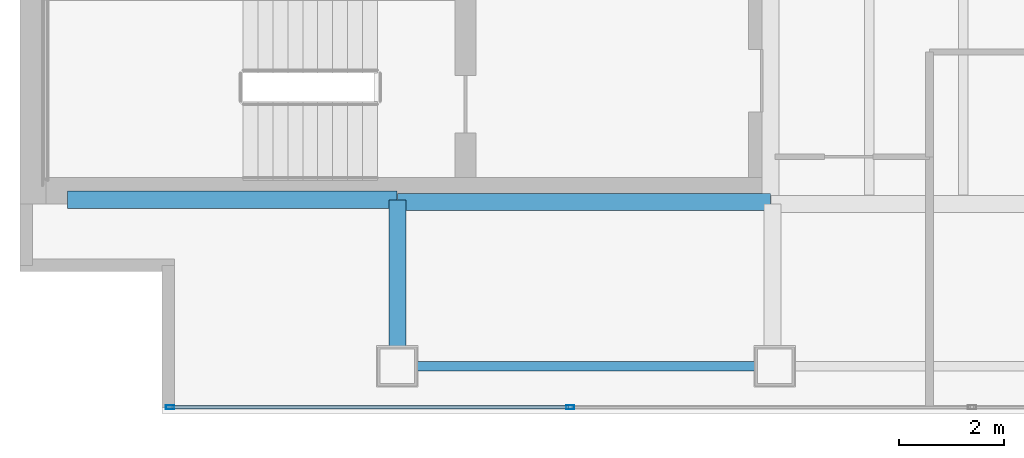
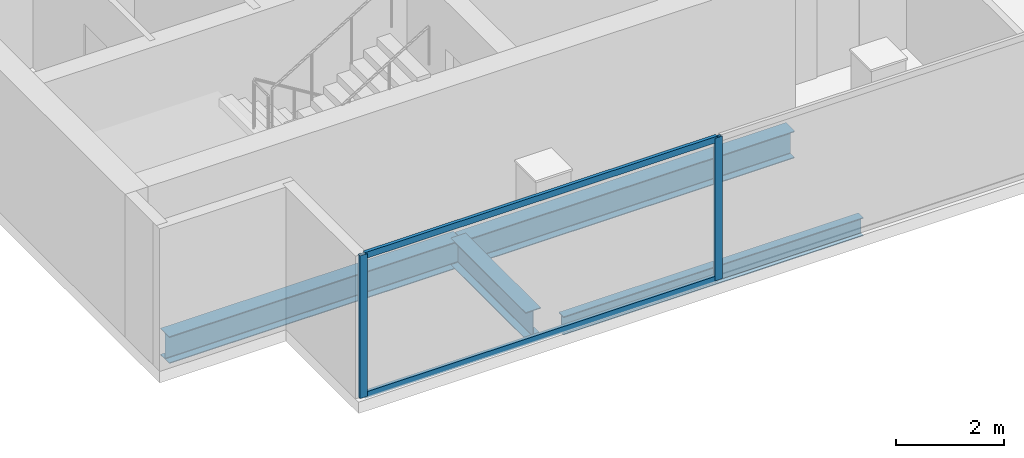
# One storey, part 2 of 23: 4 beams, 4 members, 1 element without a shape of its own.
"""IFC4 building model written with IfcOpenShell, lengths in metres."""

from ifc_helpers import new_model, si_unit, direction, frame, origin, origin_2d, place, context, subcontext, project, spatial, hollow_rectangle, i_section, extrude, material, material_profile, profile_set, type_object, element, aggregate, save


model = new_model("IFC4")

# Units and contexts
model_context = context("Model", 3, precision=1e-05, world=origin(), true_north=direction((0.0, 1.0)))
body_context = subcontext(model_context, "Body", "Model", "MODEL_VIEW")
ifc_project = project(units=[si_unit("LENGTHUNIT", "METRE"), si_unit("AREAUNIT", "SQUARE_METRE"), si_unit("VOLUMEUNIT", "CUBIC_METRE"), si_unit("PLANEANGLEUNIT", "RADIAN"), si_unit("MASSUNIT", "GRAM", prefix="KILO")], contexts=[model_context])

# Site, building, storey
site_placement = place(None, origin())
site = spatial("IfcSite", under=ifc_project, at=site_placement, CompositionType="ELEMENT")
building_placement = place(site_placement, origin())
building = spatial("IfcBuilding", under=site, at=building_placement, Name="Cobrela Telecom Tower", CompositionType="ELEMENT")
storey_placement = place(building_placement, frame((0.0, 0.0, 229.25)))
storey = spatial("IfcBuildingStorey", under=building, at=storey_placement, Name="L59", CompositionType="ELEMENT", Elevation=229.25)

# Beams
ifc_material_1 = material(Name="Steel ASTM A992 Grade 50", Category="steel")
ifc_material_profile_1 = material_profile(ifc_material_1, i_section(OverallWidth=0.324951171875, OverallDepth=0.612060546875, WebThickness=0.0126953125, FlangeThickness=0.01904296875, FilletRadius=0.014892578125, at=origin_2d()), Name="W24X104")
ifc_profile_set_1 = profile_set([ifc_material_profile_1], Name="Steel ASTM A992 Grade 50")
beam_type_1 = type_object("IfcBeamType", Name="BM-GIRD-07", PredefinedType="USERDEFINED", material=ifc_profile_set_1)
beam_1_placement = place(storey_placement, frame((0.905029296875, 7.280029296875, -0.56591796875), z_axis=(1.0, 0.0, 0.0), x_axis=(0.0, 1.0, 0.0)))
element("IfcBeam", 1, at=beam_1_placement, inside=storey, type_object=beam_type_1, Name="L59 Primary Girder X05", ObjectType="GIRDER", PredefinedType="USERDEFINED", context=body_context, shape_type="SweptSolid", body=[
    extrude(i_section(OverallWidth=0.324951171875, OverallDepth=0.612060546875, WebThickness=0.0126953125, FlangeThickness=0.01904296875, FilletRadius=0.014892578125, at=origin_2d()), origin(), (0.0, 0.0, 1.0), 6.2900390625),
])
beam_2_placement = place(storey_placement, frame((7.205078125, 7.239990234375, -0.56591796875), z_axis=(1.0, 0.0, 0.0), x_axis=(0.0, 1.0, 0.0)))
element("IfcBeam", 2, at=beam_2_placement, inside=storey, type_object=beam_type_1, Name="L59 Primary Girder X06", ObjectType="GIRDER", PredefinedType="USERDEFINED", context=body_context, shape_type="SweptSolid", body=[
    extrude(i_section(OverallWidth=0.324951171875, OverallDepth=0.612060546875, WebThickness=0.0126953125, FlangeThickness=0.01904296875, FilletRadius=0.014892578125, at=origin_2d()), origin(), (0.0, 0.0, 1.0), 7.10986328125),
])
beam_3_placement = place(storey_placement, frame((7.199951171875, 4.47998046875, -0.56591796875), z_axis=(0.0, 1.0, 0.0), x_axis=(-1.0, 0.0, 0.0)))
element("IfcBeam", 3, at=beam_3_placement, inside=storey, type_object=beam_type_1, Name="L59 Primary Girder Y24", ObjectType="GIRDER", PredefinedType="USERDEFINED", context=body_context, shape_type="SweptSolid", body=[
    extrude(i_section(OverallWidth=0.324951171875, OverallDepth=0.612060546875, WebThickness=0.0126953125, FlangeThickness=0.01904296875, FilletRadius=0.014892578125, at=origin_2d()), origin(), (0.0, 0.0, 1.0), 2.794921875),
])
ifc_material_profile_2 = material_profile(ifc_material_1, i_section(OverallWidth=0.179931640625, OverallDepth=0.4169921875, WebThickness=0.010986328125, FlangeThickness=0.01806640625, FilletRadius=0.011962890625, at=origin_2d()), Name="W16X57")
ifc_profile_set_2 = profile_set([ifc_material_profile_2], Name="Steel ASTM A992 Grade 50")
beam_type_2 = type_object("IfcBeamType", Name="BM-SPAND-06", PredefinedType="SPANDREL", material=ifc_profile_set_2)
beam_4_placement = place(storey_placement, frame((7.580078125, 4.10009765625, -0.468505859375), z_axis=(1.0, 0.0, 0.0), x_axis=(0.0, 1.0, 0.0)))
element("IfcBeam", 4, at=beam_4_placement, inside=storey, type_object=beam_type_2, Name="L59 Perimeter Spandrel X01", PredefinedType="SPANDREL", context=body_context, shape_type="SweptSolid", body=[
    extrude(i_section(OverallWidth=0.179931640625, OverallDepth=0.4169921875, WebThickness=0.010986328125, FlangeThickness=0.01806640625, FilletRadius=0.011962890625, at=origin_2d()), origin(), (0.0, 0.0, 1.0), 6.43994140625),
])

# Curtain wall, members
ifc_material_2 = material(Name="Anodized Bronze Aluminium 6063-T6", Category="aluminium")
curtain_wall_type = type_object("IfcCurtainWallType", Name="CW-SYS-OFF-LO", PredefinedType="USERDEFINED", material=ifc_material_2)
curtain_wall_placement = place(storey_placement, origin())
curtain_wall = element("IfcCurtainWall", 5, at=curtain_wall_placement, inside=storey, type_object=curtain_wall_type, Name="L59 Unitised Bronze Curtain Wall 17", ObjectType="UNITISED CURTAIN WALL", PredefinedType="USERDEFINED")
ifc_material_profile_3 = material_profile(ifc_material_2, hollow_rectangle(XDim=0.070068359375, YDim=0.159912109375, WallThickness=0.00390625, at=origin_2d()), Name="ALU 70x160x4")
ifc_profile_set_3 = profile_set([ifc_material_profile_3], Name="Anodized Bronze Aluminium 6063-T6")
member_type_1 = type_object("IfcMemberType", Name="CW-SYS-OFF-LO-MUL", PredefinedType="MULLION", material=ifc_profile_set_3)
member_1_placement = place(storey_placement, frame((10.498046875, 3.320068359375, 0.0), z_axis=(0.0, 0.0, 1.0), x_axis=(0.0, -1.0, 0.0)))
member_1 = element("IfcMember", 6, at=member_1_placement, type_object=member_type_1, Name="CW-OFF-LO mullion 5", PredefinedType="MULLION", context=body_context, shape_type="SweptSolid", body=[
    extrude(hollow_rectangle(XDim=0.070068359375, YDim=0.159912109375, WallThickness=0.00390625, at=origin_2d()), origin(), (0.0, 0.0, 1.0), 3.239990234375),
])
member_2_placement = place(storey_placement, frame((2.864990234375, 3.320068359375, 0.0), z_axis=(0.0, 0.0, 1.0), x_axis=(0.0, -1.0, 0.0)))
member_2 = element("IfcMember", 7, at=member_2_placement, type_object=member_type_1, Name="CW-OFF-LO mullion 6", PredefinedType="MULLION", context=body_context, shape_type="SweptSolid", body=[
    extrude(hollow_rectangle(XDim=0.070068359375, YDim=0.159912109375, WallThickness=0.00390625, at=origin_2d()), origin(), (0.0, 0.0, 1.0), 3.239990234375),
])
ifc_material_profile_4 = material_profile(ifc_material_2, hollow_rectangle(XDim=0.070068359375, YDim=0.139892578125, WallThickness=0.00390625, at=origin_2d()), Name="ALU 70x140x4")
ifc_profile_set_4 = profile_set([ifc_material_profile_4], Name="Anodized Bronze Aluminium 6063-T6")
member_type_2 = type_object("IfcMemberType", Name="CW-SYS-OFF-LO-TRN", PredefinedType="USERDEFINED", material=ifc_profile_set_4)
member_3_placement = place(storey_placement, frame((10.462890625, 3.320068359375, 0.034912109375), z_axis=(-1.0, 0.0, 0.0), x_axis=(0.0, -1.0, 0.0)))
member_3 = element("IfcMember", 8, at=member_3_placement, type_object=member_type_2, Name="CW-OFF-LO transom 5.1", ObjectType="TRANSOM", PredefinedType="USERDEFINED", context=body_context, shape_type="SweptSolid", body=[
    extrude(hollow_rectangle(XDim=0.070068359375, YDim=0.139892578125, WallThickness=0.00390625, at=origin_2d()), origin(), (0.0, 0.0, 1.0), 7.56298828125),
])
member_4_placement = place(storey_placement, frame((10.462890625, 3.320068359375, 3.205078125), z_axis=(-1.0, 0.0, 0.0), x_axis=(0.0, -1.0, 0.0)))
member_4 = element("IfcMember", 9, at=member_4_placement, type_object=member_type_2, Name="CW-OFF-LO transom 5.2", ObjectType="TRANSOM", PredefinedType="USERDEFINED", context=body_context, shape_type="SweptSolid", body=[
    extrude(hollow_rectangle(XDim=0.070068359375, YDim=0.139892578125, WallThickness=0.00390625, at=origin_2d()), origin(), (0.0, 0.0, 1.0), 7.56298828125),
])
aggregate(curtain_wall, [member_1, member_2, member_3, member_4])

save(model, "model.ifc")
